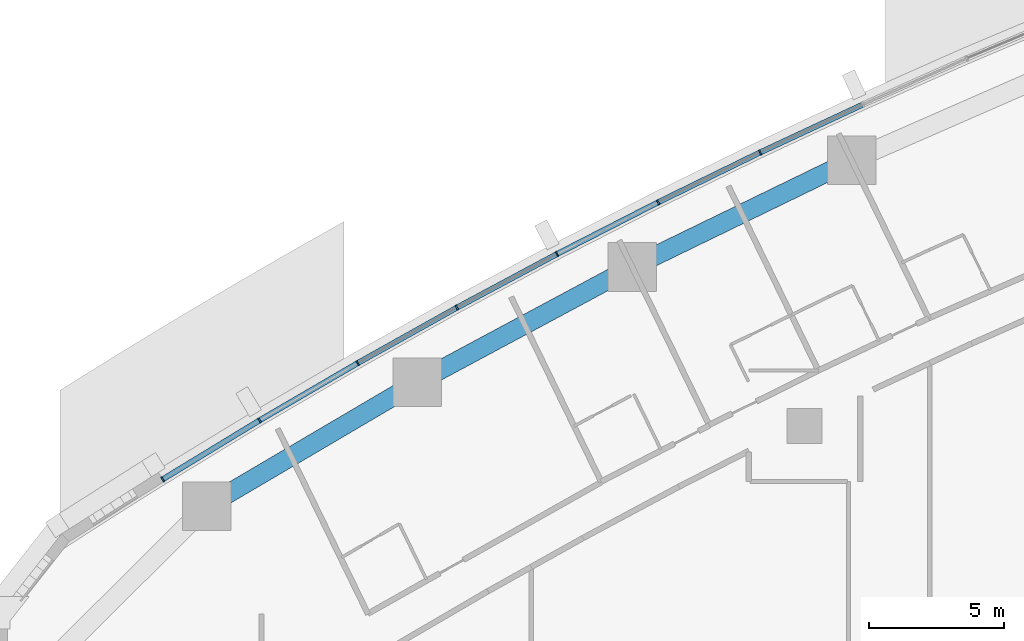
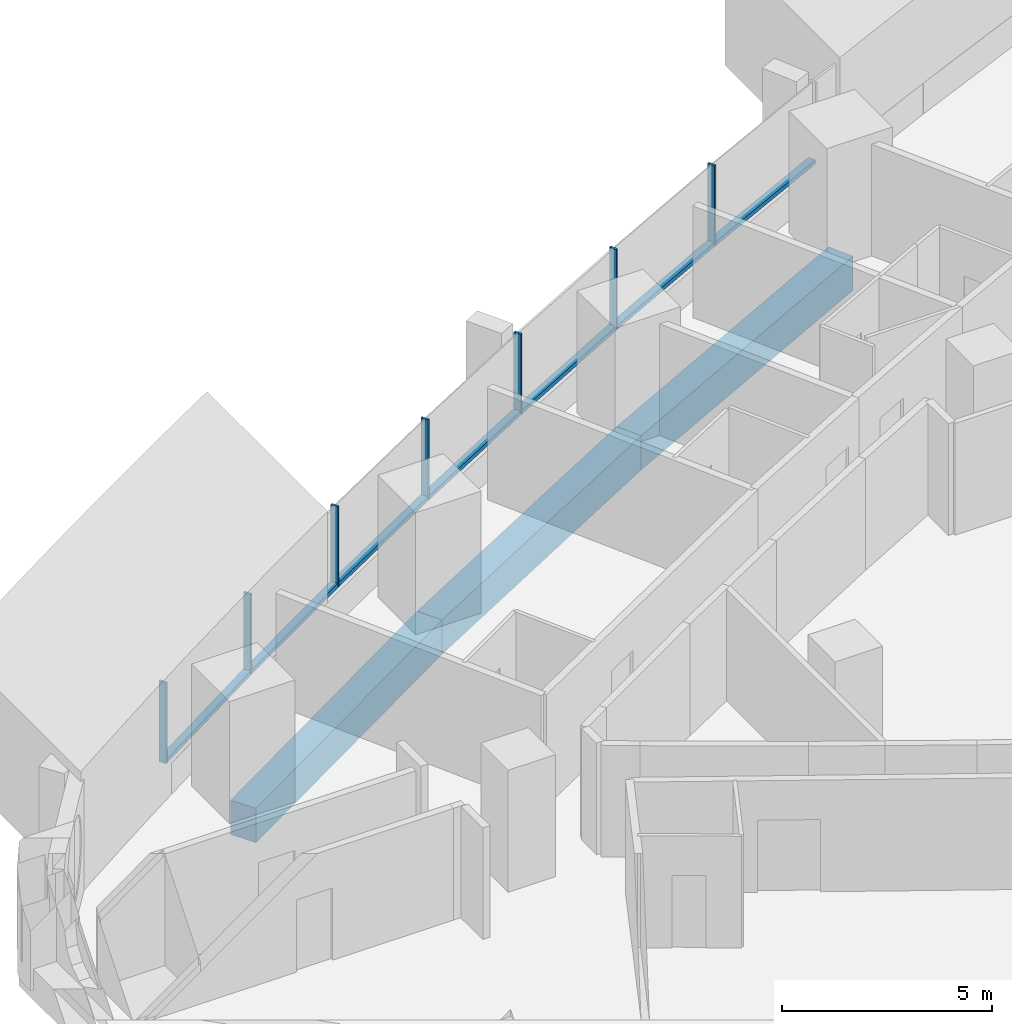
# One storey, part 5 of 19: 14 members, 3 beams, 3 elements without a shape of their own.
"""IFC4 building model written with IfcOpenShell, lengths in metres."""

from ifc_helpers import new_model, si_unit, direction, frame, origin, origin_2d, place, context, subcontext, project, spatial, rectangle, extrude, material, layer, layer_set, material_profile, profile_set, type_object, element, aggregate, save


model = new_model("IFC4")

# Units and contexts
model_context = context("Model", 3, precision=1e-05, world=origin(), true_north=direction((0.0, 1.0)))
body_context = subcontext(model_context, "Body", "Model", "MODEL_VIEW")
ifc_project = project(units=[si_unit("LENGTHUNIT", "METRE"), si_unit("AREAUNIT", "SQUARE_METRE"), si_unit("VOLUMEUNIT", "CUBIC_METRE"), si_unit("PLANEANGLEUNIT", "RADIAN"), si_unit("MASSUNIT", "GRAM", prefix="KILO")], contexts=[model_context])

# Site, building, storey
site_placement = place(None, origin())
site = spatial("IfcSite", under=ifc_project, at=site_placement, CompositionType="ELEMENT")
building_placement = place(site_placement, origin())
building = spatial("IfcBuilding", under=site, at=building_placement, Name="Ostrand Prow Hotel Tower", CompositionType="ELEMENT")
storey_placement = place(building_placement, frame((0.0, 0.0, 43.14990234375)))
storey = spatial("IfcBuildingStorey", under=building, at=storey_placement, Name="L08", CompositionType="ELEMENT", Elevation=43.14990234375)

# Beams
ifc_material_1 = material(Name="Concrete C80/95", Category="concrete")
ifc_material_profile_1 = material_profile(ifc_material_1, rectangle(XDim=0.699951171875, YDim=1.0, at=origin_2d()), Name="RC 700x1000")
ifc_profile_set_1 = profile_set([ifc_material_profile_1], Name="Concrete C80/95")
beam_type = type_object("IfcBeamType", Name="Edge beam 700x1000 C80/95", PredefinedType="SPANDREL", material=ifc_profile_set_1)
beam_1_placement = place(storey_placement, frame((35.7412109375, 18.814208984375, -0.7998046875), z_axis=(-0.899382499202, -0.437162578601, 0.0), x_axis=(0.437162578601, -0.899382499202, 0.0)))
element("IfcBeam", 1, at=beam_1_placement, inside=storey, type_object=beam_type, Name="Edge beam N3-N4", PredefinedType="SPANDREL", context=body_context, shape_type="SweptSolid", body=[
    extrude(rectangle(XDim=0.699951171875, YDim=1.0, at=origin_2d()), origin(), (0.0, 0.0, 1.0), 9.012451171875),
])
beam_2_placement = place(storey_placement, frame((27.635498046875, 14.874267578125, -0.7998046875), z_axis=(-0.881270074696, -0.472613008122, 0.0), x_axis=(0.472613008122, -0.881270074696, 0.0)))
element("IfcBeam", 2, at=beam_2_placement, inside=storey, type_object=beam_type, Name="Edge beam N4-N5", PredefinedType="SPANDREL", context=body_context, shape_type="SweptSolid", body=[
    extrude(rectangle(XDim=0.699951171875, YDim=1.0, at=origin_2d()), origin(), (0.0, 0.0, 1.0), 9.0126953125),
])
beam_3_placement = place(storey_placement, frame((19.69287109375, 10.61474609375, -0.7998046875), z_axis=(-0.861725230108, -0.507375233722, 0.0), x_axis=(0.507375233722, -0.861725230108, 0.0)))
element("IfcBeam", 3, at=beam_3_placement, inside=storey, type_object=beam_type, Name="Edge beam N5-N6", PredefinedType="SPANDREL", context=body_context, shape_type="SweptSolid", body=[
    extrude(rectangle(XDim=0.699951171875, YDim=1.0, at=origin_2d()), origin(), (0.0, 0.0, 1.0), 9.012451171875),
])

# Curtain wall, members
ifc_material_2 = material(Name="Insulated glass in bronze anodised frame", Category="glass")
ifc_layer = layer(ifc_material_2, 0.199951171875)
ifc_layer_set = layer_set([ifc_layer], Name="Insulated glass in bronze anodised frame")
curtain_wall_type = type_object("IfcCurtainWallType", Name="Strip curtain wall, fritted glass over bronze spandrel", PredefinedType="NOTDEFINED", material=ifc_layer_set)
curtain_wall_1_placement = place(storey_placement, origin())
curtain_wall_1 = element("IfcCurtainWall", 4, at=curtain_wall_1_placement, inside=storey, type_object=curtain_wall_type, Name="CW1 run CWN3", PredefinedType="NOTDEFINED")
ifc_material_3 = material(Name="Bronze anodised aluminium", Category="aluminium")
ifc_material_profile_2 = material_profile(ifc_material_3, rectangle(XDim=0.199951171875, YDim=0.06005859375, at=origin_2d()), Name="Mullion 60x200 bronze anodised aluminium")
ifc_profile_set_2 = profile_set([ifc_material_profile_2], Name="Bronze anodised aluminium")
member_type_1 = type_object("IfcMemberType", Name="Mullion 60x200 bronze anodised aluminium", PredefinedType="MULLION", material=ifc_profile_set_2)
member_1_placement = place(storey_placement, frame((32.360595703125, 19.10498046875, 0.900146484375), z_axis=(0.0, 0.0, 1.0), x_axis=(0.439138077204, -0.898419584131, 0.0)))
member_1 = element("IfcMember", 5, at=member_1_placement, type_object=member_type_1, Name="CW1 mullion 2", PredefinedType="MULLION", context=body_context, shape_type="SweptSolid", body=[
    extrude(rectangle(XDim=0.199951171875, YDim=0.06005859375, at=origin_2d()), origin(), (0.0, 0.0, 1.0), 2.349853515625),
])
member_2_placement = place(storey_placement, frame((28.59228515625, 17.262939453125, 0.900146484375), z_axis=(0.0, 0.0, 1.0), x_axis=(0.439138077204, -0.898419584131, 0.0)))
member_2 = element("IfcMember", 6, at=member_2_placement, type_object=member_type_1, Name="CW1 mullion 3", PredefinedType="MULLION", context=body_context, shape_type="SweptSolid", body=[
    extrude(rectangle(XDim=0.199951171875, YDim=0.06005859375, at=origin_2d()), origin(), (0.0, 0.0, 1.0), 2.349853515625),
])

curtain_wall_2_placement = place(storey_placement, origin())
curtain_wall_2 = element("IfcCurtainWall", 7, at=curtain_wall_2_placement, inside=storey, type_object=curtain_wall_type, Name="CW1 run CWN4", PredefinedType="NOTDEFINED")
member_3_placement = place(storey_placement, frame((24.858642578125, 15.35205078125, 0.900146484375), z_axis=(0.0, 0.0, 1.0), x_axis=(0.471899992481, -0.881652083929, 0.0)))
member_3 = element("IfcMember", 8, at=member_3_placement, type_object=member_type_1, Name="CW1 mullion 2", PredefinedType="MULLION", context=body_context, shape_type="SweptSolid", body=[
    extrude(rectangle(XDim=0.199951171875, YDim=0.06005859375, at=origin_2d()), origin(), (0.0, 0.0, 1.0), 2.349853515625),
])
member_4_placement = place(storey_placement, frame((21.160888671875, 13.372802734375, 0.900146484375), z_axis=(0.0, 0.0, 1.0), x_axis=(0.488043996167, -0.872819029241, 0.0)))
member_4 = element("IfcMember", 9, at=member_4_placement, type_object=member_type_1, Name="CW1 mullion 3", PredefinedType="MULLION", context=body_context, shape_type="SweptSolid", body=[
    extrude(rectangle(XDim=0.199951171875, YDim=0.06005859375, at=origin_2d()), origin(), (0.0, 0.0, 1.0), 2.349853515625),
])
member_5_placement = place(storey_placement, frame((17.5, 11.325927734375, 0.900146484375), z_axis=(0.0, 0.0, 1.0), x_axis=(0.488043996167, -0.872819029241, 0.0)))
member_5 = element("IfcMember", 10, at=member_5_placement, type_object=member_type_1, Name="CW1 mullion 4", PredefinedType="MULLION", context=body_context, shape_type="SweptSolid", body=[
    extrude(rectangle(XDim=0.199951171875, YDim=0.06005859375, at=origin_2d()), origin(), (0.0, 0.0, 1.0), 2.349853515625),
])

curtain_wall_3_placement = place(storey_placement, origin())
curtain_wall_3 = element("IfcCurtainWall", 11, at=curtain_wall_3_placement, inside=storey, type_object=curtain_wall_type, Name="CW1 run CWN5", PredefinedType="NOTDEFINED")
member_6_placement = place(storey_placement, frame((13.87744140625, 9.2119140625, 0.900146484375), z_axis=(0.0, 0.0, 1.0), x_axis=(0.519830761515, -0.854269266322, 0.0)))
member_6 = element("IfcMember", 12, at=member_6_placement, type_object=member_type_1, Name="CW1 mullion 2", PredefinedType="MULLION", context=body_context, shape_type="SweptSolid", body=[
    extrude(rectangle(XDim=0.199951171875, YDim=0.06005859375, at=origin_2d()), origin(), (0.0, 0.0, 1.0), 2.349853515625),
])
member_7_placement = place(storey_placement, frame((10.29443359375, 7.031494140625, 0.900146484375), z_axis=(0.0, 0.0, 1.0), x_axis=(0.519830761515, -0.854269266322, 0.0)))
member_7 = element("IfcMember", 13, at=member_7_placement, type_object=member_type_1, Name="CW1 mullion 3", PredefinedType="MULLION", context=body_context, shape_type="SweptSolid", body=[
    extrude(rectangle(XDim=0.199951171875, YDim=0.06005859375, at=origin_2d()), origin(), (0.0, 0.0, 1.0), 2.349853515625),
])

# Member
ifc_material_4 = material(Name="Bronze anodised aluminium", Category="aluminium")
ifc_material_profile_3 = material_profile(ifc_material_4, rectangle(XDim=0.199951171875, YDim=0.1201171875, at=origin_2d()), Name="Transom 120x200 bronze anodised aluminium")
ifc_profile_set_3 = profile_set([ifc_material_profile_3], Name="Bronze anodised aluminium")
member_type_2 = type_object("IfcMemberType", Name="Transom 120x200 bronze anodised aluminium", PredefinedType="USERDEFINED", material=ifc_profile_set_3)
member_8_placement = place(storey_placement, frame((36.135009765625, 20.864501953125, 0.960205078125), z_axis=(-0.906338458793, -0.422552479714, 0.0), x_axis=(0.422552479714, -0.906338458793, 0.0)))
member_8 = element("IfcMember", 14, at=member_8_placement, type_object=member_type_2, Name="CW1 transom 1.1", ObjectType="TRANSOM", PredefinedType="USERDEFINED", context=body_context, shape_type="SweptSolid", body=[
    extrude(rectangle(XDim=0.199951171875, YDim=0.1201171875, at=origin_2d()), origin(), (0.0, 0.0, 1.0), 4.134521484375),
])

member_9_placement = place(storey_placement, frame((32.33349609375, 19.091796875, 0.960205078125), z_axis=(-0.898395234758, -0.439187889364, 0.0), x_axis=(0.439187889364, -0.898395234758, 0.0)))
member_9 = element("IfcMember", 15, at=member_9_placement, type_object=member_type_2, Name="CW1 transom 2.1", ObjectType="TRANSOM", PredefinedType="USERDEFINED", context=body_context, shape_type="SweptSolid", body=[
    extrude(rectangle(XDim=0.199951171875, YDim=0.1201171875, at=origin_2d()), origin(), (0.0, 0.0, 1.0), 4.13427734375),
])

aggregate(curtain_wall_1, [member_1, member_2, member_8, member_9])

member_10_placement = place(storey_placement, frame((28.565673828125, 17.249267578125, 0.960205078125), z_axis=(-0.890182999343, -0.455603147136, 0.0), x_axis=(0.455603147136, -0.890182999343, 0.0)))
member_10 = element("IfcMember", 16, at=member_10_placement, type_object=member_type_2, Name="CW1 transom 1.1", ObjectType="TRANSOM", PredefinedType="USERDEFINED", context=body_context, shape_type="SweptSolid", body=[
    extrude(rectangle(XDim=0.199951171875, YDim=0.1201171875, at=origin_2d()), origin(), (0.0, 0.0, 1.0), 4.13427734375),
])

member_11_placement = place(storey_placement, frame((24.832275390625, 15.337890625, 0.960205078125), z_axis=(-0.881657241639, -0.471890356191, 0.0), x_axis=(0.471890356191, -0.881657241639, 0.0)))
member_11 = element("IfcMember", 17, at=member_11_placement, type_object=member_type_2, Name="CW1 transom 2.1", ObjectType="TRANSOM", PredefinedType="USERDEFINED", context=body_context, shape_type="SweptSolid", body=[
    extrude(rectangle(XDim=0.199951171875, YDim=0.1201171875, at=origin_2d()), origin(), (0.0, 0.0, 1.0), 4.13427734375),
])

member_12_placement = place(storey_placement, frame((21.134765625, 13.358154296875, 0.960205078125), z_axis=(-0.872842137405, -0.488002667175, 0.0), x_axis=(0.488002667175, -0.872842137405, 0.0)))
member_12 = element("IfcMember", 18, at=member_12_placement, type_object=member_type_2, Name="CW1 transom 3.1", ObjectType="TRANSOM", PredefinedType="USERDEFINED", context=body_context, shape_type="SweptSolid", body=[
    extrude(rectangle(XDim=0.199951171875, YDim=0.1201171875, at=origin_2d()), origin(), (0.0, 0.0, 1.0), 4.13427734375),
])

aggregate(curtain_wall_2, [member_3, member_4, member_5, member_10, member_11, member_12])

member_13_placement = place(storey_placement, frame((17.47412109375, 11.310791015625, 0.960205078125), z_axis=(-0.863697501622, -0.504010541251, 0.0), x_axis=(0.504010541251, -0.863697501622, 0.0)))
member_13 = element("IfcMember", 19, at=member_13_placement, type_object=member_type_2, Name="CW1 transom 1.1", ObjectType="TRANSOM", PredefinedType="USERDEFINED", context=body_context, shape_type="SweptSolid", body=[
    extrude(rectangle(XDim=0.199951171875, YDim=0.1201171875, at=origin_2d()), origin(), (0.0, 0.0, 1.0), 4.13427734375),
])

member_14_placement = place(storey_placement, frame((13.851806640625, 9.1962890625, 0.960205078125), z_axis=(-0.8542612678, -0.519843905741, 0.0), x_axis=(0.519843905741, -0.8542612678, 0.0)))
member_14 = element("IfcMember", 20, at=member_14_placement, type_object=member_type_2, Name="CW1 transom 2.1", ObjectType="TRANSOM", PredefinedType="USERDEFINED", context=body_context, shape_type="SweptSolid", body=[
    extrude(rectangle(XDim=0.199951171875, YDim=0.1201171875, at=origin_2d()), origin(), (0.0, 0.0, 1.0), 4.13427734375),
])

aggregate(curtain_wall_3, [member_6, member_7, member_13, member_14])

save(model, "model.ifc")
